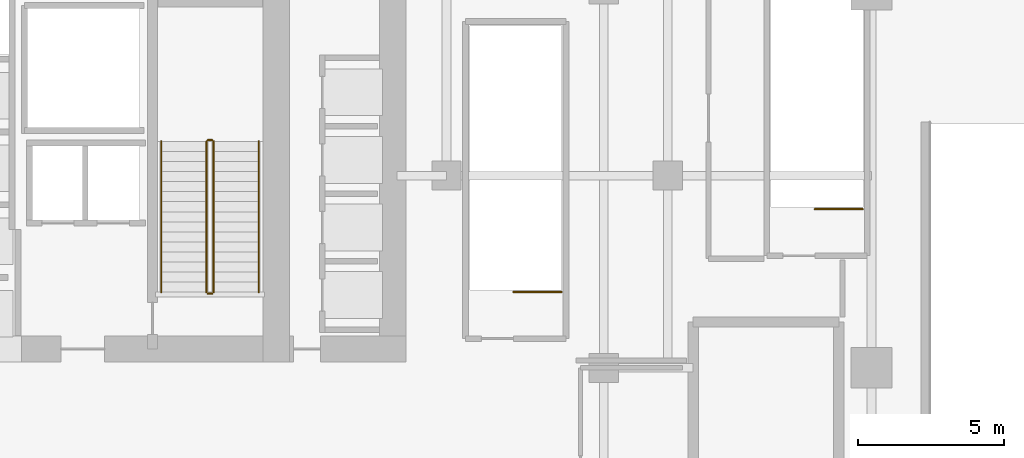
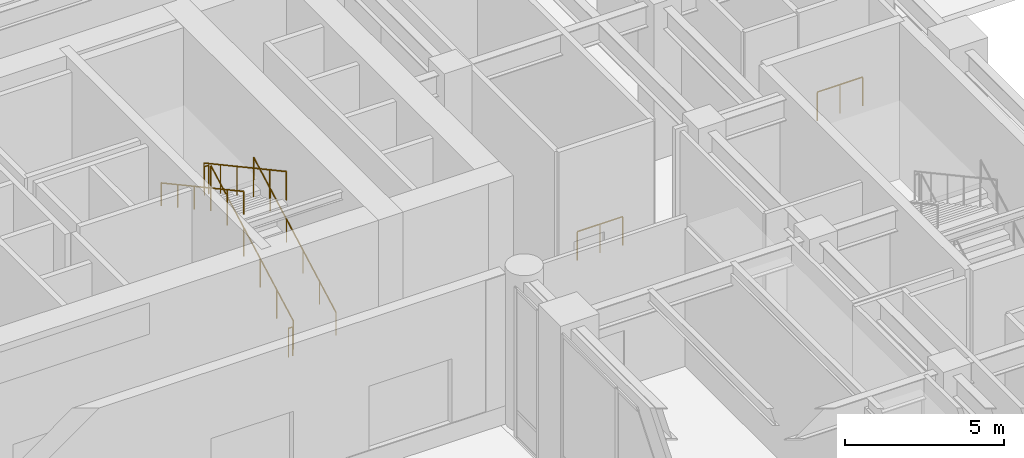
# One storey, part 25 of 28: 8 railings.
"""IFC4 building model written with IfcOpenShell, lengths in metres."""

from ifc_helpers import new_model, si_unit, direction, frame, origin, origin_2d, place, context, subcontext, project, spatial, circle, extrude, material, type_object, element, save


model = new_model("IFC4")

# Units and contexts
model_context = context("Model", 3, precision=1e-05, world=origin(), true_north=direction((0.0, 1.0)))
body_context = subcontext(model_context, "Body", "Model", "MODEL_VIEW")
ifc_project = project(units=[si_unit("LENGTHUNIT", "METRE"), si_unit("AREAUNIT", "SQUARE_METRE"), si_unit("VOLUMEUNIT", "CUBIC_METRE"), si_unit("PLANEANGLEUNIT", "RADIAN"), si_unit("MASSUNIT", "GRAM", prefix="KILO")], contexts=[model_context])

# Site, building, storey
site_placement = place(None, origin())
site = spatial("IfcSite", under=ifc_project, at=site_placement, CompositionType="ELEMENT")
building_placement = place(site_placement, origin())
building = spatial("IfcBuilding", under=site, at=building_placement, Name="Tolvann Quenvar Hotel", CompositionType="ELEMENT")
storey_placement = place(building_placement, origin())
storey = spatial("IfcBuildingStorey", under=building, at=storey_placement, Name="L00", CompositionType="ELEMENT", Elevation=0.0)

# Railings
ifc_material = material(Name="Brushed 316 stainless steel balustrade and handrail", Category="steel")
railing_type_1 = type_object("IfcRailingType", Name="GUARDRAIL", PredefinedType="GUARDRAIL", material=ifc_material)
railing_1_placement = place(storey_placement, frame((45.75, 34.0, 0.0)))
element("IfcRailing", 1, at=railing_1_placement, inside=storey, type_object=railing_type_1, Name="L00 ST-B2 top well guard 1", PredefinedType="GUARDRAIL", context=body_context, shape_type="SweptSolid", body=[
    extrude(circle(Radius=0.02392578125, at=origin_2d()), frame((0.0, 0.0, 1.09619140625), z_axis=(-1.0, 0.0, 0.0), x_axis=(0.0, -1.0, 0.0)), (0.0, 0.0, 1.0), 1.64990234375),
    extrude(circle(Radius=0.02099609375, at=origin_2d()), origin(), (0.0, 0.0, 1.0), 1.072021484375),
    extrude(circle(Radius=0.02099609375, at=origin_2d()), frame((-0.824951171875, 0.0, 0.0)), (0.0, 0.0, 1.0), 1.072021484375),
    extrude(circle(Radius=0.02099609375, at=origin_2d()), frame((-1.64990234375, 0.0, 0.0)), (0.0, 0.0, 1.0), 1.072021484375),
])
railing_2_placement = place(storey_placement, frame((56.10009765625, 36.85009765625, 0.0)))
element("IfcRailing", 2, at=railing_2_placement, inside=storey, type_object=railing_type_1, Name="L00 ST-B3 top well guard 1", PredefinedType="GUARDRAIL", context=body_context, shape_type="SweptSolid", body=[
    extrude(circle(Radius=0.02392578125, at=origin_2d()), frame((0.0, 0.0, 1.09619140625), z_axis=(-1.0, 0.0, 0.0), x_axis=(0.0, -1.0, 0.0)), (0.0, 0.0, 1.0), 1.650146484375),
    extrude(circle(Radius=0.02099609375, at=origin_2d()), origin(), (0.0, 0.0, 1.0), 1.072021484375),
    extrude(circle(Radius=0.02099609375, at=origin_2d()), frame((-0.8251953125, 0.0, 0.0)), (0.0, 0.0, 1.0), 1.072021484375),
    extrude(circle(Radius=0.02099609375, at=origin_2d()), frame((-1.650146484375, 0.0, 0.0)), (0.0, 0.0, 1.0), 1.072021484375),
])
railing_3_placement = place(storey_placement, frame((33.800048828125, 34.0, 0.1875)))
element("IfcRailing", 3, at=railing_3_placement, inside=storey, type_object=railing_type_1, Name="L00 ST-C2 stair guard 1", PredefinedType="GUARDRAIL", context=body_context, shape_type="SweptSolid", body=[
    extrude(circle(Radius=0.02392578125, at=origin_2d()), frame((0.0, 0.0, 1.09619140625), z_axis=(0.0, 0.878626399866, 0.477509842263), x_axis=(-1.0, 0.0, 0.0)), (0.0, 0.0, 1.0), 5.889892578125),
    extrude(circle(Radius=0.02099609375, at=origin_2d()), origin(), (0.0, 0.0, 1.0), 1.072021484375),
    extrude(circle(Radius=0.02099609375, at=origin_2d()), frame((0.0, 1.034912109375, 0.5625)), (0.0, 0.0, 1.0), 1.072021484375),
    extrude(circle(Radius=0.02099609375, at=origin_2d()), frame((0.0, 2.070068359375, 1.125)), (0.0, 0.0, 1.0), 1.072021484375),
    extrude(circle(Radius=0.02099609375, at=origin_2d()), frame((0.0, 3.10498046875, 1.6875)), (0.0, 0.0, 1.0), 1.072021484375),
    extrude(circle(Radius=0.02099609375, at=origin_2d()), frame((0.0, 4.14013671875, 2.25)), (0.0, 0.0, 1.0), 1.072021484375),
    extrude(circle(Radius=0.02099609375, at=origin_2d()), frame((0.0, 5.175048828125, 2.8125)), (0.0, 0.0, 1.0), 1.072021484375),
])
railing_4_placement = place(storey_placement, frame((33.75, 39.22509765625, 3.0)))
element("IfcRailing", 4, at=railing_4_placement, inside=storey, type_object=railing_type_1, Name="L00 ST-C2 stair guard 2", PredefinedType="GUARDRAIL", context=body_context, shape_type="SweptSolid", body=[
    extrude(circle(Radius=0.02392578125, at=origin_2d()), frame((0.0, 0.0, 1.09619140625), z_axis=(-1.0, 0.0, 0.0), x_axis=(0.0, -1.0, 0.0)), (0.0, 0.0, 1.0), 0.14990234375),
    extrude(circle(Radius=0.02099609375, at=origin_2d()), origin(), (0.0, 0.0, 1.0), 1.072021484375),
    extrude(circle(Radius=0.02099609375, at=origin_2d()), frame((-0.14990234375, 0.0, 0.0)), (0.0, 0.0, 1.0), 1.072021484375),
])
railing_5_placement = place(storey_placement, frame((33.550048828125, 39.175048828125, 3.1875)))
element("IfcRailing", 5, at=railing_5_placement, inside=storey, type_object=railing_type_1, Name="L00 ST-C2 stair guard 3", PredefinedType="GUARDRAIL", context=body_context, shape_type="SweptSolid", body=[
    extrude(circle(Radius=0.02392578125, at=origin_2d()), frame((0.0, 0.0, 1.09619140625), z_axis=(0.0, -0.878626399866, 0.477509842263), x_axis=(1.0, 0.0, 0.0)), (0.0, 0.0, 1.0), 5.889892578125),
    extrude(circle(Radius=0.02099609375, at=origin_2d()), origin(), (0.0, 0.0, 1.0), 1.072021484375),
    extrude(circle(Radius=0.02099609375, at=origin_2d()), frame((0.0, -1.034912109375, 0.5625)), (0.0, 0.0, 1.0), 1.072021484375),
    extrude(circle(Radius=0.02099609375, at=origin_2d()), frame((0.0, -2.070068359375, 1.125)), (0.0, 0.0, 1.0), 1.072021484375),
    extrude(circle(Radius=0.02099609375, at=origin_2d()), frame((0.0, -3.10498046875, 1.6875)), (0.0, 0.0, 1.0), 1.072021484375),
    extrude(circle(Radius=0.02099609375, at=origin_2d()), frame((0.0, -4.14013671875, 2.25)), (0.0, 0.0, 1.0), 1.072021484375),
    extrude(circle(Radius=0.02099609375, at=origin_2d()), frame((0.0, -5.175048828125, 2.8125)), (0.0, 0.0, 1.0), 1.072021484375),
])
railing_6_placement = place(storey_placement, frame((33.75, 33.949951171875, 0.0)))
element("IfcRailing", 6, at=railing_6_placement, inside=storey, type_object=railing_type_1, Name="L00 ST-C2 stair guard 4", PredefinedType="GUARDRAIL", context=body_context, shape_type="SweptSolid", body=[
    extrude(circle(Radius=0.02392578125, at=origin_2d()), frame((0.0, 0.0, 1.09619140625), z_axis=(-1.0, 0.0, 0.0), x_axis=(0.0, -1.0, 0.0)), (0.0, 0.0, 1.0), 0.14990234375),
    extrude(circle(Radius=0.02099609375, at=origin_2d()), origin(), (0.0, 0.0, 1.0), 1.072021484375),
    extrude(circle(Radius=0.02099609375, at=origin_2d()), frame((-0.14990234375, 0.0, 0.0)), (0.0, 0.0, 1.0), 1.072021484375),
])
railing_type_2 = type_object("IfcRailingType", Name="HANDRAIL", PredefinedType="HANDRAIL", material=ifc_material)
railing_7_placement = place(storey_placement, frame((35.35009765625, 34.0, 0.1875)))
element("IfcRailing", 7, at=railing_7_placement, inside=storey, type_object=railing_type_2, Name="L00 ST-C2 stair handrail 1", PredefinedType="HANDRAIL", context=body_context, shape_type="SweptSolid", body=[
    extrude(circle(Radius=0.02392578125, at=origin_2d()), frame((0.0, 0.0, 0.8759765625), z_axis=(0.0, 0.878626399866, 0.477509842263), x_axis=(-1.0, 0.0, 0.0)), (0.0, 0.0, 1.0), 5.889892578125),
    extrude(circle(Radius=0.02099609375, at=origin_2d()), origin(), (0.0, 0.0, 1.0), 0.851806640625),
    extrude(circle(Radius=0.02099609375, at=origin_2d()), frame((0.0, 1.034912109375, 0.5625)), (0.0, 0.0, 1.0), 0.851806640625),
    extrude(circle(Radius=0.02099609375, at=origin_2d()), frame((0.0, 2.070068359375, 1.125)), (0.0, 0.0, 1.0), 0.851806640625),
    extrude(circle(Radius=0.02099609375, at=origin_2d()), frame((0.0, 3.10498046875, 1.6875)), (0.0, 0.0, 1.0), 0.851806640625),
    extrude(circle(Radius=0.02099609375, at=origin_2d()), frame((0.0, 4.14013671875, 2.25)), (0.0, 0.0, 1.0), 0.851806640625),
    extrude(circle(Radius=0.02099609375, at=origin_2d()), frame((0.0, 5.175048828125, 2.8125)), (0.0, 0.0, 1.0), 0.851806640625),
])
railing_8_placement = place(storey_placement, frame((32.0, 39.175048828125, 3.1875)))
element("IfcRailing", 8, at=railing_8_placement, inside=storey, type_object=railing_type_2, Name="L00 ST-C2 stair handrail 2", PredefinedType="HANDRAIL", context=body_context, shape_type="SweptSolid", body=[
    extrude(circle(Radius=0.02392578125, at=origin_2d()), frame((0.0, 0.0, 0.8759765625), z_axis=(0.0, -0.878626399866, 0.477509842263), x_axis=(1.0, 0.0, 0.0)), (0.0, 0.0, 1.0), 5.889892578125),
    extrude(circle(Radius=0.02099609375, at=origin_2d()), origin(), (0.0, 0.0, 1.0), 0.851806640625),
    extrude(circle(Radius=0.02099609375, at=origin_2d()), frame((0.0, -1.034912109375, 0.5625)), (0.0, 0.0, 1.0), 0.851806640625),
    extrude(circle(Radius=0.02099609375, at=origin_2d()), frame((0.0, -2.070068359375, 1.125)), (0.0, 0.0, 1.0), 0.851806640625),
    extrude(circle(Radius=0.02099609375, at=origin_2d()), frame((0.0, -3.10498046875, 1.6875)), (0.0, 0.0, 1.0), 0.851806640625),
    extrude(circle(Radius=0.02099609375, at=origin_2d()), frame((0.0, -4.14013671875, 2.25)), (0.0, 0.0, 1.0), 0.851806640625),
    extrude(circle(Radius=0.02099609375, at=origin_2d()), frame((0.0, -5.175048828125, 2.8125)), (0.0, 0.0, 1.0), 0.851806640625),
])

save(model, "model.ifc")
